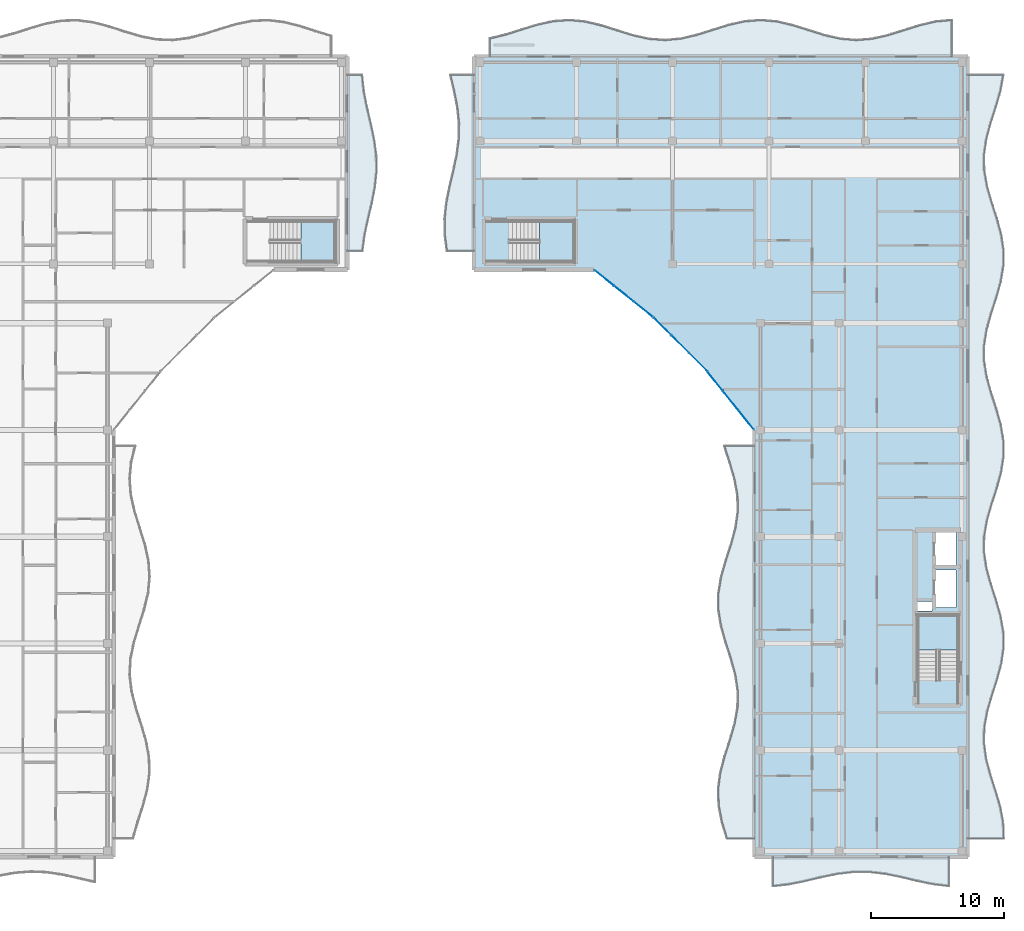
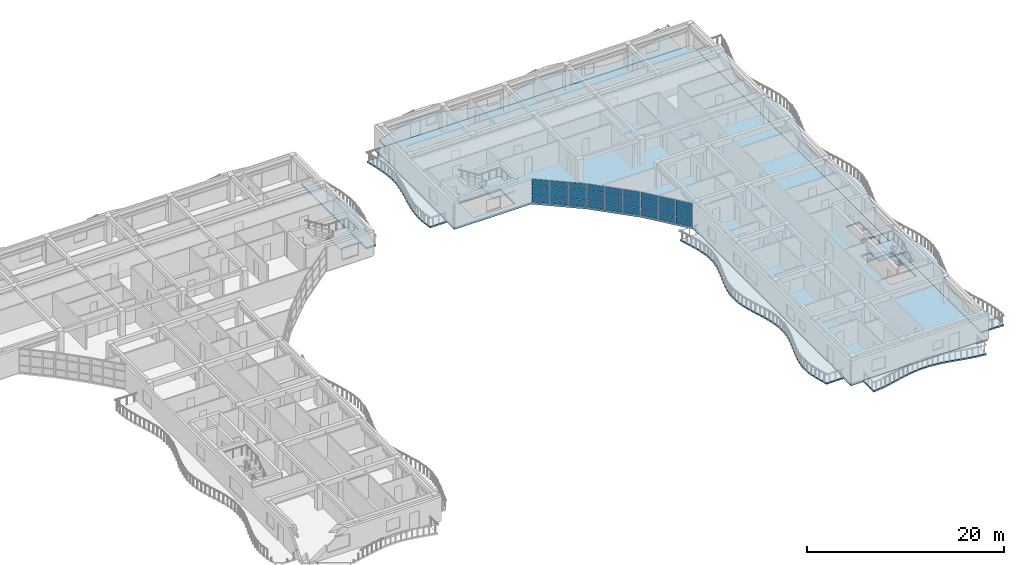
# One storey, part 28 of 72: 27 plates, 10 slabs, 6 elements without a shape of their own.
"""IFC4 building model written with IfcOpenShell, lengths in metres."""

import ifcopenshell
import ifcopenshell.guid

model = None  # the IFC model being written
_history = None  # IfcOwnerHistory: only IFC2X3 demands one
_inside = {}  # id of a spatial element -> (the spatial element, [elements in it])
_under = {}  # id of a project, library or spatial element -> (it, [spatial elements below it])
_declared = {}  # id of a project -> (the project, [libraries it declares])
_typed = {}  # id of a type object -> (the type object, [elements of that type])
_made_of = {}  # id of a material, layer set ... -> (it, [elements and type objects made of it])


def new_model(schema):
    """Start an empty IFC model of exactly this schema.

    Asked for "IFC4X3", IfcOpenShell would pick the latest addendum, in which some entities
    have other attributes; the version numbers below select the first issue.
    IFC2X3 requires an IfcOwnerHistory on every rooted entity: one is made here for all.
    """
    global model, _history
    if schema == "IFC4X3":
        model = ifcopenshell.file(schema_version=(4, 3, 0, 0))
    else:
        model = ifcopenshell.file(schema=schema)
    _inside.clear()
    _under.clear()
    _declared.clear()
    _typed.clear()
    _made_of.clear()
    _history = None
    if model.schema == "IFC2X3":
        org = make("IfcOrganization", Name="unknown")
        user = make(
            "IfcPersonAndOrganization",
            ThePerson=make("IfcPerson", FamilyName="unknown"),
            TheOrganization=org,
        )
        app = make(
            "IfcApplication",
            ApplicationDeveloper=org,
            Version="unknown",
            ApplicationFullName="unknown",
            ApplicationIdentifier="unknown",
        )
        _history = make(
            "IfcOwnerHistory",
            OwningUser=user,
            OwningApplication=app,
            ChangeAction="ADDED",
            CreationDate=0,
        )
    return model


def make(cls, **values):
    """One entity of the class cls with the attributes given. An attribute that is None is left unset."""
    return model.create_entity(
        cls, **{name: value for name, value in values.items() if value is not None}
    )


def rooted(cls, **values):
    """An entity with a GlobalId (a new one), such as an element, a storey or a relation."""
    return make(cls, GlobalId=ifcopenshell.guid.new(), OwnerHistory=_history, **values)


def si_unit(unit_type, name, prefix=None):
    """IfcSIUnit, for example si_unit("LENGTHUNIT", "METRE", prefix="MILLI")."""
    return make("IfcSIUnit", UnitType=unit_type, Prefix=prefix, Name=name)


def assignment(units):
    """IfcUnitAssignment: the units of a project."""
    return None if units is None else make("IfcUnitAssignment", Units=units)


def point(xyz):
    """IfcCartesianPoint."""
    return None if xyz is None else make("IfcCartesianPoint", Coordinates=xyz)


def direction(xyz):
    """IfcDirection."""
    return None if xyz is None else make("IfcDirection", DirectionRatios=xyz)


def frame(location, z_axis=None, x_axis=None):
    """IfcAxis2Placement3D, a coordinate frame: its origin and axes. An axis left out is left unset."""
    return make(
        "IfcAxis2Placement3D",
        Location=point(location),
        Axis=direction(z_axis),
        RefDirection=direction(x_axis),
    )


def frame_2d(location, x_axis=None):
    """IfcAxis2Placement2D, a coordinate frame in the plane: its origin and x axis."""
    return make(
        "IfcAxis2Placement2D", Location=point(location), RefDirection=direction(x_axis)
    )


def origin():
    """The frame at (0, 0, 0) with its axes left unset."""
    return frame((0.0, 0.0, 0.0))


def origin_2d():
    """The frame at (0, 0) in the plane with its x axis left unset."""
    return frame_2d((0.0, 0.0))


def place(relative_to, where):
    """IfcLocalPlacement: puts the frame where relative to a parent placement (None: the world)."""
    return make(
        "IfcLocalPlacement", PlacementRelTo=relative_to, RelativePlacement=where
    )


def context(
    kind, dimensions, precision=None, world=None, true_north=None, identifier=None
):
    """IfcGeometricRepresentationContext, for example the 3D "Model" context."""
    return make(
        "IfcGeometricRepresentationContext",
        ContextIdentifier=identifier,
        ContextType=kind,
        CoordinateSpaceDimension=dimensions,
        Precision=precision,
        WorldCoordinateSystem=world,
        TrueNorth=true_north,
    )


def subcontext(parent, identifier, kind, view, scale=None):
    """IfcGeometricRepresentationSubContext, for example "Body" below "Model"."""
    return make(
        "IfcGeometricRepresentationSubContext",
        ContextIdentifier=identifier,
        ContextType=kind,
        ParentContext=parent,
        TargetScale=scale,
        TargetView=view,
    )


def project(units=None, contexts=None):
    """IfcProject with its units and contexts."""
    return rooted(
        "IfcProject",
        Name="project",
        RepresentationContexts=contexts,
        UnitsInContext=assignment(units),
    )


def spatial(cls, under=None, at=None, **own):
    """A site, building, storey or space (cls), placed at a placement, below another one or the project."""
    s = rooted(cls, ObjectPlacement=at, **own)
    if under is not None:
        _under.setdefault(under.id(), (under, []))[1].append(s)
    return s


def polyline(points):
    """IfcPolyline through the points."""
    return make("IfcPolyline", Points=[point(p) for p in points])


def profile(cls, at=None, kind="AREA", **sizes):
    """A parametric profile (cls). Its sizes go by their IFC names, for example OverallWidth=200.0."""
    return make(cls, ProfileType=kind, Position=at, **sizes)


def rectangle(**sizes):
    """IfcRectangleProfileDef."""
    return profile("IfcRectangleProfileDef", **sizes)


def outline(outer, holes=None, kind="AREA"):
    """IfcArbitraryClosedProfileDef: a profile drawn as a closed curve; with holes, ...WithVoids."""
    if holes is None:
        return make("IfcArbitraryClosedProfileDef", ProfileType=kind, OuterCurve=outer)
    return make(
        "IfcArbitraryProfileDefWithVoids",
        ProfileType=kind,
        OuterCurve=outer,
        InnerCurves=holes,
    )


def extrude(swept, where, along, depth):
    """IfcExtrudedAreaSolid: the profile swept, set in the frame where, extruded along a direction by depth."""
    return make(
        "IfcExtrudedAreaSolid",
        SweptArea=swept,
        Position=where,
        ExtrudedDirection=direction(along),
        Depth=depth,
    )


def shape(context_of_items, identifier, shape_type, items):
    """IfcShapeRepresentation: the items that make up one representation, for example the "Body"."""
    return make(
        "IfcShapeRepresentation",
        ContextOfItems=context_of_items,
        RepresentationIdentifier=identifier,
        RepresentationType=shape_type,
        Items=items,
    )


def material(Name=None, Category=None):
    """IfcMaterial."""
    return make("IfcMaterial", Name=Name, Category=Category)


def layer(
    of_material, thickness, ventilated=None, Name=None, Category=None, Priority=None
):
    """IfcMaterialLayer: one layer of a wall or slab, of a material (None: an air gap)."""
    return make(
        "IfcMaterialLayer",
        Material=of_material,
        LayerThickness=thickness,
        IsVentilated=ventilated,
        Name=Name,
        Category=Category,
        Priority=Priority,
    )


def layer_set(layers, Name=None):
    """IfcMaterialLayerSet."""
    return make("IfcMaterialLayerSet", MaterialLayers=layers, LayerSetName=Name)


def made_of(thing, what):
    """Note that an element or type object is made of a material, layer set ...; save() writes the relation."""
    if what is not None:
        _made_of.setdefault(what.id(), (what, []))[1].append(thing)
    return thing


def type_object(cls, material=None, **own):
    """A type object (cls), such as IfcWallType, which elements share."""
    return made_of(rooted(cls, **own), material)


def element(
    cls,
    number,
    at=None,
    inside=None,
    cuts=None,
    type_object=None,
    material=None,
    context=None,
    identifier="Body",
    shape_type=None,
    held_by="IfcProductDefinitionShape",
    body=None,
    shapes=None,
    **own,
):
    """One element of the class cls, such as IfcWall. Its Tag is "e" and its number.

    at: its placement. inside: the storey or other place that contains it. cuts: it is an
    opening in that element (IfcRelVoidsElement). A single representation is given by context,
    identifier, shape_type and body (its items); several are given by shapes. held_by: the class
    of the entity that holds the representations. save() writes the other relations.
    """
    e = rooted(cls, Tag="e%d" % number, ObjectPlacement=at, **own)
    if body is not None:
        shapes = [shape(context, identifier, shape_type, body)]
    if shapes is not None:
        e.Representation = make(held_by, Representations=shapes)
    if inside is not None:
        _inside.setdefault(inside.id(), (inside, []))[1].append(e)
    if cuts is not None:
        rooted(
            "IfcRelVoidsElement", RelatingBuildingElement=cuts, RelatedOpeningElement=e
        )
    if type_object is not None:
        _typed.setdefault(type_object.id(), (type_object, []))[1].append(e)
    return made_of(e, material)


def aggregate(whole, parts):
    """IfcRelAggregates: a whole, such as a stair, and the parts it consists of."""
    return rooted("IfcRelAggregates", RelatingObject=whole, RelatedObjects=parts)


def save(model, path):
    """Write the relations noted so far, then the file.

    IfcRelAggregates (storeys below a building ...), IfcRelContainedInSpatialStructure (elements
    in a storey), IfcRelDefinesByType, IfcRelAssociatesMaterial and IfcRelDeclares: one each for
    every whole, place, type object, material and project.
    """
    for whole, parts in _under.values():
        aggregate(whole, parts)
    for where, things in _inside.values():
        rooted(
            "IfcRelContainedInSpatialStructure",
            RelatedElements=things,
            RelatingStructure=where,
        )
    for kind, things in _typed.values():
        rooted("IfcRelDefinesByType", RelatedObjects=things, RelatingType=kind)
    for what, things in _made_of.values():
        rooted("IfcRelAssociatesMaterial", RelatedObjects=things, RelatingMaterial=what)
    for by, libraries in _declared.values():
        rooted("IfcRelDeclares", RelatingContext=by, RelatedDefinitions=libraries)
    model.write(path)


model = new_model("IFC4")

# Units and contexts
model_context = context("Model", 3, precision=1e-05, world=origin(), true_north=direction((0.0, 1.0)))
body_context = subcontext(model_context, "Body", "Model", "MODEL_VIEW")
ifc_project = project(units=[si_unit("LENGTHUNIT", "METRE"), si_unit("AREAUNIT", "SQUARE_METRE"), si_unit("VOLUMEUNIT", "CUBIC_METRE"), si_unit("PLANEANGLEUNIT", "RADIAN"), si_unit("MASSUNIT", "GRAM", prefix="KILO")], contexts=[model_context])

# Site, building, storey
site_placement = place(None, origin())
site = spatial("IfcSite", under=ifc_project, at=site_placement, CompositionType="ELEMENT")
building_placement = place(site_placement, origin())
building = spatial("IfcBuilding", under=site, at=building_placement, Name="Keldmere Railside Commons", CompositionType="ELEMENT")
storey_placement = place(building_placement, frame((0.0, 0.0, 16.9599609375)))
storey = spatial("IfcBuildingStorey", under=building, at=storey_placement, Name="L05", CompositionType="ELEMENT", Elevation=16.9599609375)

# Curtain wall, plates
ifc_material_1 = material(Name="Thermally Broken Aluminium", Category="aluminium")
ifc_layer_1 = layer(ifc_material_1, 0.159912109375, Name="Court Chord Wintergarden CW 5400x2850")
ifc_layer_set_1 = layer_set([ifc_layer_1], Name="Thermally Broken Aluminium")
curtain_wall_type_1 = type_object("IfcCurtainWallType", Name="Court Chord Wintergarden CW 5400x2850", PredefinedType="NOTDEFINED", material=ifc_layer_set_1)
curtain_wall_1_placement = place(storey_placement, origin())
curtain_wall_1 = element("IfcCurtainWall", 1, at=curtain_wall_1_placement, inside=storey, type_object=curtain_wall_type_1, Name="CW-13 CW-L05-172", PredefinedType="NOTDEFINED")
ifc_material_2 = material(Name="Low-E Insulated Double Glazing", Category="glass")
ifc_layer_2 = layer(ifc_material_2, 0.033935546875, Name="Acoustic Laminated Vision Panel 34")
ifc_layer_set_2 = layer_set([ifc_layer_2], Name="Low-E Insulated Double Glazing")
plate_type_1 = type_object("IfcPlateType", Name="Acoustic Laminated Vision Panel 34", PredefinedType="CURTAIN_PANEL", material=ifc_layer_set_2)
plate_1_placement = place(storey_placement, frame((159.678955078125, 97.048583984375, 0.06494140625), z_axis=(0.0, 0.0, 1.0), x_axis=(-0.780009172323, 0.625768080915, 0.0)))
plate_1 = element("IfcPlate", 2, at=plate_1_placement, type_object=plate_type_1, Name="CW-13 panel 1.1", PredefinedType="CURTAIN_PANEL", context=body_context, shape_type="SweptSolid", body=[
    extrude(rectangle(XDim=1.795654296875, YDim=0.033935546875, at=origin_2d()), origin(), (0.0, 0.0, 1.0), 0.802490234375),
])
plate_2_placement = place(storey_placement, frame((159.678955078125, 97.048583984375, 0.9326171875), z_axis=(0.0, 0.0, 1.0), x_axis=(-0.780009172323, 0.625768080915, 0.0)))
plate_2 = element("IfcPlate", 3, at=plate_2_placement, type_object=plate_type_1, Name="CW-13 panel 1.2", PredefinedType="CURTAIN_PANEL", context=body_context, shape_type="SweptSolid", body=[
    extrude(rectangle(XDim=1.795654296875, YDim=0.033935546875, at=origin_2d()), origin(), (0.0, 0.0, 1.0), 1.18505859375),
])
plate_3_placement = place(storey_placement, frame((159.678955078125, 97.048583984375, 2.1826171875), z_axis=(0.0, 0.0, 1.0), x_axis=(-0.780009172323, 0.625768080915, 0.0)))
plate_3 = element("IfcPlate", 4, at=plate_3_placement, type_object=plate_type_1, Name="CW-13 panel 1.3", PredefinedType="CURTAIN_PANEL", context=body_context, shape_type="SweptSolid", body=[
    extrude(rectangle(XDim=1.795654296875, YDim=0.033935546875, at=origin_2d()), origin(), (0.0, 0.0, 1.0), 0.732421875),
])
plate_4_placement = place(storey_placement, frame((158.215087890625, 98.222900390625, 0.06494140625), z_axis=(0.0, 0.0, 1.0), x_axis=(-0.780009172323, 0.625768080915, 0.0)))
plate_4 = element("IfcPlate", 5, at=plate_4_placement, type_object=plate_type_1, Name="CW-13 panel 2.1", PredefinedType="CURTAIN_PANEL", context=body_context, shape_type="SweptSolid", body=[
    extrude(rectangle(XDim=1.828125, YDim=0.033935546875, at=origin_2d()), origin(), (0.0, 0.0, 1.0), 0.802490234375),
])
plate_5_placement = place(storey_placement, frame((158.215087890625, 98.222900390625, 0.9326171875), z_axis=(0.0, 0.0, 1.0), x_axis=(-0.780009172323, 0.625768080915, 0.0)))
plate_5 = element("IfcPlate", 6, at=plate_5_placement, type_object=plate_type_1, Name="CW-13 panel 2.2", PredefinedType="CURTAIN_PANEL", context=body_context, shape_type="SweptSolid", body=[
    extrude(rectangle(XDim=1.828125, YDim=0.033935546875, at=origin_2d()), origin(), (0.0, 0.0, 1.0), 1.18505859375),
])
plate_6_placement = place(storey_placement, frame((158.215087890625, 98.222900390625, 2.1826171875), z_axis=(0.0, 0.0, 1.0), x_axis=(-0.780009172323, 0.625768080915, 0.0)))
plate_6 = element("IfcPlate", 7, at=plate_6_placement, type_object=plate_type_1, Name="CW-13 panel 2.3", PredefinedType="CURTAIN_PANEL", context=body_context, shape_type="SweptSolid", body=[
    extrude(rectangle(XDim=1.828125, YDim=0.033935546875, at=origin_2d()), origin(), (0.0, 0.0, 1.0), 0.732421875),
])
plate_7_placement = place(storey_placement, frame((156.7509765625, 99.3974609375, 0.06494140625), z_axis=(0.0, 0.0, 1.0), x_axis=(-0.780009172323, 0.625768080915, 0.0)))
plate_7 = element("IfcPlate", 8, at=plate_7_placement, type_object=plate_type_1, Name="CW-13 panel 3.1", PredefinedType="CURTAIN_PANEL", context=body_context, shape_type="SweptSolid", body=[
    extrude(rectangle(XDim=1.795654296875, YDim=0.033935546875, at=origin_2d()), origin(), (0.0, 0.0, 1.0), 0.802490234375),
])
plate_8_placement = place(storey_placement, frame((156.7509765625, 99.3974609375, 0.9326171875), z_axis=(0.0, 0.0, 1.0), x_axis=(-0.780009172323, 0.625768080915, 0.0)))
plate_8 = element("IfcPlate", 9, at=plate_8_placement, type_object=plate_type_1, Name="CW-13 panel 3.2", PredefinedType="CURTAIN_PANEL", context=body_context, shape_type="SweptSolid", body=[
    extrude(rectangle(XDim=1.795654296875, YDim=0.033935546875, at=origin_2d()), origin(), (0.0, 0.0, 1.0), 1.18505859375),
])
plate_9_placement = place(storey_placement, frame((156.7509765625, 99.3974609375, 2.1826171875), z_axis=(0.0, 0.0, 1.0), x_axis=(-0.780009172323, 0.625768080915, 0.0)))
plate_9 = element("IfcPlate", 10, at=plate_9_placement, type_object=plate_type_1, Name="CW-13 panel 3.3", PredefinedType="CURTAIN_PANEL", context=body_context, shape_type="SweptSolid", body=[
    extrude(rectangle(XDim=1.795654296875, YDim=0.033935546875, at=origin_2d()), origin(), (0.0, 0.0, 1.0), 0.732421875),
])
aggregate(curtain_wall_1, [plate_1, plate_2, plate_3, plate_4, plate_5, plate_6, plate_7, plate_8, plate_9])

ifc_layer_3 = layer(ifc_material_1, 0.159912109375, Name="Court Chord Wintergarden CW 4800x2850")
ifc_layer_set_3 = layer_set([ifc_layer_3], Name="Thermally Broken Aluminium")
curtain_wall_type_2 = type_object("IfcCurtainWallType", Name="Court Chord Wintergarden CW 4800x2850", PredefinedType="NOTDEFINED", material=ifc_layer_set_3)
curtain_wall_2_placement = place(storey_placement, origin())
curtain_wall_2 = element("IfcCurtainWall", 11, at=curtain_wall_2_placement, inside=storey, type_object=curtain_wall_type_2, Name="CW-12 CW-L05-173", PredefinedType="NOTDEFINED")
ifc_layer_4 = layer(ifc_material_2, 0.031982421875, Name="Clerestory Solar-Control Vision Panel 32")
ifc_layer_set_4 = layer_set([ifc_layer_4], Name="Low-E Insulated Double Glazing")
plate_type_2 = type_object("IfcPlateType", Name="Clerestory Solar-Control Vision Panel 32", PredefinedType="CURTAIN_PANEL", material=ifc_layer_set_4)
plate_10_placement = place(storey_placement, frame((163.76513671875, 93.11083984375, 0.06494140625), z_axis=(0.0, 0.0, 1.0), x_axis=(-0.707106781187, 0.707106781187, 0.0)))
plate_10 = element("IfcPlate", 12, at=plate_10_placement, type_object=plate_type_2, Name="CW-12 panel 1.1", PredefinedType="CURTAIN_PANEL", context=body_context, shape_type="SweptSolid", body=[
    extrude(rectangle(XDim=1.795654296875, YDim=0.031982421875, at=origin_2d()), origin(), (0.0, 0.0, 1.0), 0.802490234375),
])
plate_11_placement = place(storey_placement, frame((163.76513671875, 93.11083984375, 0.9326171875), z_axis=(0.0, 0.0, 1.0), x_axis=(-0.707106781187, 0.707106781187, 0.0)))
plate_11 = element("IfcPlate", 13, at=plate_11_placement, type_object=plate_type_2, Name="CW-12 panel 1.2", PredefinedType="CURTAIN_PANEL", context=body_context, shape_type="SweptSolid", body=[
    extrude(rectangle(XDim=1.795654296875, YDim=0.031982421875, at=origin_2d()), origin(), (0.0, 0.0, 1.0), 1.18505859375),
])
plate_12_placement = place(storey_placement, frame((163.76513671875, 93.11083984375, 2.1826171875), z_axis=(0.0, 0.0, 1.0), x_axis=(-0.707106781187, 0.707106781187, 0.0)))
plate_12 = element("IfcPlate", 14, at=plate_12_placement, type_object=plate_type_2, Name="CW-12 panel 1.3", PredefinedType="CURTAIN_PANEL", context=body_context, shape_type="SweptSolid", body=[
    extrude(rectangle(XDim=1.795654296875, YDim=0.031982421875, at=origin_2d()), origin(), (0.0, 0.0, 1.0), 0.732421875),
])
plate_13_placement = place(storey_placement, frame((162.43798828125, 94.43798828125, 0.06494140625), z_axis=(0.0, 0.0, 1.0), x_axis=(-0.707106781187, 0.707106781187, 0.0)))
plate_13 = element("IfcPlate", 15, at=plate_13_placement, type_object=plate_type_2, Name="CW-12 panel 2.1", PredefinedType="CURTAIN_PANEL", context=body_context, shape_type="SweptSolid", body=[
    extrude(rectangle(XDim=1.828125, YDim=0.031982421875, at=origin_2d()), origin(), (0.0, 0.0, 1.0), 0.802490234375),
])
plate_14_placement = place(storey_placement, frame((162.43798828125, 94.43798828125, 0.9326171875), z_axis=(0.0, 0.0, 1.0), x_axis=(-0.707106781187, 0.707106781187, 0.0)))
plate_14 = element("IfcPlate", 16, at=plate_14_placement, type_object=plate_type_2, Name="CW-12 panel 2.2", PredefinedType="CURTAIN_PANEL", context=body_context, shape_type="SweptSolid", body=[
    extrude(rectangle(XDim=1.828125, YDim=0.031982421875, at=origin_2d()), origin(), (0.0, 0.0, 1.0), 1.18505859375),
])
plate_15_placement = place(storey_placement, frame((162.43798828125, 94.43798828125, 2.1826171875), z_axis=(0.0, 0.0, 1.0), x_axis=(-0.707106781187, 0.707106781187, 0.0)))
plate_15 = element("IfcPlate", 17, at=plate_15_placement, type_object=plate_type_2, Name="CW-12 panel 2.3", PredefinedType="CURTAIN_PANEL", context=body_context, shape_type="SweptSolid", body=[
    extrude(rectangle(XDim=1.828125, YDim=0.031982421875, at=origin_2d()), origin(), (0.0, 0.0, 1.0), 0.732421875),
])
plate_16_placement = place(storey_placement, frame((161.11083984375, 95.76513671875, 0.06494140625), z_axis=(0.0, 0.0, 1.0), x_axis=(-0.707106781187, 0.707106781187, 0.0)))
plate_16 = element("IfcPlate", 18, at=plate_16_placement, type_object=plate_type_2, Name="CW-12 panel 3.1", PredefinedType="CURTAIN_PANEL", context=body_context, shape_type="SweptSolid", body=[
    extrude(rectangle(XDim=1.795654296875, YDim=0.031982421875, at=origin_2d()), origin(), (0.0, 0.0, 1.0), 0.802490234375),
])
plate_17_placement = place(storey_placement, frame((161.11083984375, 95.76513671875, 0.9326171875), z_axis=(0.0, 0.0, 1.0), x_axis=(-0.707106781187, 0.707106781187, 0.0)))
plate_17 = element("IfcPlate", 19, at=plate_17_placement, type_object=plate_type_2, Name="CW-12 panel 3.2", PredefinedType="CURTAIN_PANEL", context=body_context, shape_type="SweptSolid", body=[
    extrude(rectangle(XDim=1.795654296875, YDim=0.031982421875, at=origin_2d()), origin(), (0.0, 0.0, 1.0), 1.18505859375),
])
plate_18_placement = place(storey_placement, frame((161.11083984375, 95.76513671875, 2.1826171875), z_axis=(0.0, 0.0, 1.0), x_axis=(-0.707106781187, 0.707106781187, 0.0)))
plate_18 = element("IfcPlate", 20, at=plate_18_placement, type_object=plate_type_2, Name="CW-12 panel 3.3", PredefinedType="CURTAIN_PANEL", context=body_context, shape_type="SweptSolid", body=[
    extrude(rectangle(XDim=1.795654296875, YDim=0.031982421875, at=origin_2d()), origin(), (0.0, 0.0, 1.0), 0.732421875),
])
aggregate(curtain_wall_2, [plate_10, plate_11, plate_12, plate_13, plate_14, plate_15, plate_16, plate_17, plate_18])

# Stair, slab
ifc_material_3 = material(Name="Concrete H-30 (C30/37)", Category="concrete")
stair_type_1 = type_object("IfcStairType", Name="Basement Garage Dogleg Escape Stair 1450", PredefinedType="HALF_TURN_STAIR", material=ifc_material_3)
stair_1_placement = place(storey_placement, origin())
stair_1 = element("IfcStair", 21, at=stair_1_placement, inside=storey, type_object=stair_type_1, Name="L05 Block B Secondary Escape Stair 2", PredefinedType="HALF_TURN_STAIR")
ifc_layer_5 = layer(ifc_material_3, 0.199951171875, Name="Enclosed Stair Landing Slab 200")
ifc_layer_set_5 = layer_set([ifc_layer_5], Name="Concrete H-30 (C30/37)")
slab_type_1 = type_object("IfcSlabType", Name="Enclosed Stair Landing Slab 200", PredefinedType="LANDING", material=ifc_layer_set_5)
slab_1_placement = place(storey_placement, frame((0.0, 0.0, 1.400146484375)))
slab_1 = element("IfcSlab", 22, at=slab_1_placement, type_object=slab_type_1, Name="ST-B2 landing 1", PredefinedType="LANDING", context=body_context, shape_type="SweptSolid", body=[
    extrude(outline(polyline([(134.02001953125, 100.60009765625), (136.60009765625, 100.60009765625), (136.60009765625, 103.64990234375), (134.02001953125, 103.64990234375), (134.02001953125, 100.60009765625)])), origin(), (0.0, 0.0, 1.0), 0.199951171875),
])
aggregate(stair_1, [slab_1])

stair_type_2 = type_object("IfcStairType", Name="Residential Core Dogleg Stair 1450", PredefinedType="HALF_TURN_STAIR", material=ifc_material_3)
stair_2_placement = place(storey_placement, origin())
stair_2 = element("IfcStair", 23, at=stair_2_placement, inside=storey, type_object=stair_type_2, Name="L05 Block A Primary Escape Stair 1", PredefinedType="HALF_TURN_STAIR")
slab_2_placement = place(storey_placement, frame((0.0, 0.0, 1.400146484375)))
slab_2 = element("IfcSlab", 24, at=slab_2_placement, type_object=slab_type_1, Name="ST-A1 landing 1", PredefinedType="LANDING", context=body_context, shape_type="SweptSolid", body=[
    extrude(outline(polyline([(183.300048828125, 71.52001953125), (183.300048828125, 74.10009765625), (180.25, 74.10009765625), (180.25, 71.52001953125), (183.300048828125, 71.52001953125)])), origin(), (0.0, 0.0, 1.0), 0.199951171875),
])
aggregate(stair_2, [slab_2])

stair_3_placement = place(storey_placement, origin())
stair_3 = element("IfcStair", 25, at=stair_3_placement, inside=storey, type_object=stair_type_2, Name="L05 Block A Secondary Escape Stair 2", PredefinedType="HALF_TURN_STAIR")
slab_3_placement = place(storey_placement, frame((0.0, 0.0, 1.400146484375)))
slab_3 = element("IfcSlab", 26, at=slab_3_placement, type_object=slab_type_1, Name="ST-A2 landing 1", PredefinedType="LANDING", context=body_context, shape_type="SweptSolid", body=[
    extrude(outline(polyline([(151.919921875, 100.60009765625), (154.5, 100.60009765625), (154.5, 103.64990234375), (151.919921875, 103.64990234375), (151.919921875, 100.60009765625)])), origin(), (0.0, 0.0, 1.0), 0.199951171875),
])
aggregate(stair_3, [slab_3])

# Curtain wall, plates
curtain_wall_3_placement = place(storey_placement, origin())
curtain_wall_3 = element("IfcCurtainWall", 27, at=curtain_wall_3_placement, inside=storey, type_object=curtain_wall_type_1, Name="CW-13 CW-L05-174", PredefinedType="NOTDEFINED")
ifc_layer_6 = layer(ifc_material_2, 0.028076171875, Name="Low-E Vision Glazing Panel 28")
ifc_layer_set_6 = layer_set([ifc_layer_6], Name="Low-E Insulated Double Glazing")
plate_type_3 = type_object("IfcPlateType", Name="Low-E Vision Glazing Panel 28", PredefinedType="CURTAIN_PANEL", material=ifc_layer_set_6)
plate_19_placement = place(storey_placement, frame((167.3974609375, 88.7509765625, 0.06494140625), z_axis=(0.0, 0.0, 1.0), x_axis=(-0.625768080915, 0.780009172323, 0.0)))
plate_19 = element("IfcPlate", 28, at=plate_19_placement, type_object=plate_type_3, Name="CW-13 panel 1.1", PredefinedType="CURTAIN_PANEL", context=body_context, shape_type="SweptSolid", body=[
    extrude(rectangle(XDim=1.795654296875, YDim=0.028076171875, at=origin_2d()), origin(), (0.0, 0.0, 1.0), 0.802490234375),
])
plate_20_placement = place(storey_placement, frame((167.3974609375, 88.7509765625, 0.9326171875), z_axis=(0.0, 0.0, 1.0), x_axis=(-0.625768080915, 0.780009172323, 0.0)))
plate_20 = element("IfcPlate", 29, at=plate_20_placement, type_object=plate_type_3, Name="CW-13 panel 1.2", PredefinedType="CURTAIN_PANEL", context=body_context, shape_type="SweptSolid", body=[
    extrude(rectangle(XDim=1.795654296875, YDim=0.028076171875, at=origin_2d()), origin(), (0.0, 0.0, 1.0), 1.18505859375),
])
plate_21_placement = place(storey_placement, frame((167.3974609375, 88.7509765625, 2.1826171875), z_axis=(0.0, 0.0, 1.0), x_axis=(-0.625768080915, 0.780009172323, 0.0)))
plate_21 = element("IfcPlate", 30, at=plate_21_placement, type_object=plate_type_3, Name="CW-13 panel 1.3", PredefinedType="CURTAIN_PANEL", context=body_context, shape_type="SweptSolid", body=[
    extrude(rectangle(XDim=1.795654296875, YDim=0.028076171875, at=origin_2d()), origin(), (0.0, 0.0, 1.0), 0.732421875),
])
plate_22_placement = place(storey_placement, frame((166.222900390625, 90.215087890625, 0.06494140625), z_axis=(0.0, 0.0, 1.0), x_axis=(-0.625768080915, 0.780009172323, 0.0)))
plate_22 = element("IfcPlate", 31, at=plate_22_placement, type_object=plate_type_3, Name="CW-13 panel 2.1", PredefinedType="CURTAIN_PANEL", context=body_context, shape_type="SweptSolid", body=[
    extrude(rectangle(XDim=1.828125, YDim=0.028076171875, at=origin_2d()), origin(), (0.0, 0.0, 1.0), 0.802490234375),
])
plate_23_placement = place(storey_placement, frame((166.222900390625, 90.215087890625, 0.9326171875), z_axis=(0.0, 0.0, 1.0), x_axis=(-0.625768080915, 0.780009172323, 0.0)))
plate_23 = element("IfcPlate", 32, at=plate_23_placement, type_object=plate_type_3, Name="CW-13 panel 2.2", PredefinedType="CURTAIN_PANEL", context=body_context, shape_type="SweptSolid", body=[
    extrude(rectangle(XDim=1.828125, YDim=0.028076171875, at=origin_2d()), origin(), (0.0, 0.0, 1.0), 1.18505859375),
])
plate_24_placement = place(storey_placement, frame((166.222900390625, 90.215087890625, 2.1826171875), z_axis=(0.0, 0.0, 1.0), x_axis=(-0.625768080915, 0.780009172323, 0.0)))
plate_24 = element("IfcPlate", 33, at=plate_24_placement, type_object=plate_type_3, Name="CW-13 panel 2.3", PredefinedType="CURTAIN_PANEL", context=body_context, shape_type="SweptSolid", body=[
    extrude(rectangle(XDim=1.828125, YDim=0.028076171875, at=origin_2d()), origin(), (0.0, 0.0, 1.0), 0.732421875),
])
plate_25_placement = place(storey_placement, frame((165.048583984375, 91.678955078125, 0.06494140625), z_axis=(0.0, 0.0, 1.0), x_axis=(-0.625768080915, 0.780009172323, 0.0)))
plate_25 = element("IfcPlate", 34, at=plate_25_placement, type_object=plate_type_3, Name="CW-13 panel 3.1", PredefinedType="CURTAIN_PANEL", context=body_context, shape_type="SweptSolid", body=[
    extrude(rectangle(XDim=1.795654296875, YDim=0.028076171875, at=origin_2d()), origin(), (0.0, 0.0, 1.0), 0.802490234375),
])
plate_26_placement = place(storey_placement, frame((165.048583984375, 91.678955078125, 0.9326171875), z_axis=(0.0, 0.0, 1.0), x_axis=(-0.625768080915, 0.780009172323, 0.0)))
plate_26 = element("IfcPlate", 35, at=plate_26_placement, type_object=plate_type_3, Name="CW-13 panel 3.2", PredefinedType="CURTAIN_PANEL", context=body_context, shape_type="SweptSolid", body=[
    extrude(rectangle(XDim=1.795654296875, YDim=0.028076171875, at=origin_2d()), origin(), (0.0, 0.0, 1.0), 1.18505859375),
])
plate_27_placement = place(storey_placement, frame((165.048583984375, 91.678955078125, 2.1826171875), z_axis=(0.0, 0.0, 1.0), x_axis=(-0.625768080915, 0.780009172323, 0.0)))
plate_27 = element("IfcPlate", 36, at=plate_27_placement, type_object=plate_type_3, Name="CW-13 panel 3.3", PredefinedType="CURTAIN_PANEL", context=body_context, shape_type="SweptSolid", body=[
    extrude(rectangle(XDim=1.795654296875, YDim=0.028076171875, at=origin_2d()), origin(), (0.0, 0.0, 1.0), 0.732421875),
])
aggregate(curtain_wall_3, [plate_19, plate_20, plate_21, plate_22, plate_23, plate_24, plate_25, plate_26, plate_27])

# Slabs
ifc_layer_7 = layer(ifc_material_3, 0.219970703125, Name="Residential Flat Slab 220")
ifc_layer_set_7 = layer_set([ifc_layer_7], Name="Concrete H-30 (C30/37)")
slab_type_2 = type_object("IfcSlabType", Name="Residential Flat Slab 220", PredefinedType="FLOOR", material=ifc_layer_set_7)
slab_4_placement = place(storey_placement, frame((0.0, 0.0, -0.219970703125)))
element("IfcSlab", 37, at=slab_4_placement, inside=storey, type_object=slab_type_2, Name="FS-2 BLKA-L05-058", PredefinedType="FLOOR", context=body_context, shape_type="SweptSolid", body=[
    extrude(outline(polyline([(168.0, 56.0), (184.0, 56.0), (184.0, 116.0), (147.0, 116.0), (147.0, 100.0), (156.0, 100.0), (160.429931640625, 96.446044921875), (164.446044921875, 92.429931640625), (168.0, 88.0), (168.0, 56.0)]), holes=[polyline([(183.27490234375, 69.22509765625), (180.27490234375, 69.22509765625), (180.27490234375, 74.074951171875), (183.27490234375, 74.074951171875), (183.27490234375, 69.22509765625)]), polyline([(180.219970703125, 74.419921875), (180.219970703125, 75.159912109375), (181.320068359375, 75.159912109375), (181.320068359375, 74.419921875), (180.219970703125, 74.419921875)]), polyline([(183.10009765625, 74.699951171875), (181.5, 74.699951171875), (181.5, 77.5), (183.10009765625, 77.5), (183.10009765625, 74.699951171875)]), polyline([(183.10009765625, 77.75), (181.5, 77.75), (181.5, 80.39990234375), (183.10009765625, 80.39990234375), (183.10009765625, 77.75)]), polyline([(149.625, 103.625), (154.47509765625, 103.625), (154.47509765625, 100.625), (149.625, 100.625), (149.625, 103.625)])]), origin(), (0.0, 0.0, 1.0), 0.219970703125),
])
ifc_material_4 = material(Name="White Precast Concrete H-35 (C35/45)", Category="concrete")
ifc_layer_8 = layer(ifc_material_4, 0.179931640625, Name="Sinusoidal Wave Balcony Slab 180")
ifc_layer_set_8 = layer_set([ifc_layer_8], Name="White Precast Concrete H-35 (C35/45)")
slab_type_3 = type_object("IfcSlabType", Name="Sinusoidal Wave Balcony Slab 180", PredefinedType="FLOOR", material=ifc_layer_set_8)
slab_5_placement = place(storey_placement, frame((0.0, 0.0, -0.179931640625)))
element("IfcSlab", 38, at=slab_5_placement, inside=storey, type_object=slab_type_3, Name="WB-1 B L05 WE Wave Balcony", PredefinedType="FLOOR", context=body_context, shape_type="SweptSolid", body=[
    extrude(outline(polyline([(138.631103515625, 101.39990234375), (138.791748046875, 102.60009765625), (139.04833984375, 103.800048828125), (139.332275390625, 105.0), (139.567138671875, 106.199951171875), (139.6904296875, 107.39990234375), (139.6689453125, 108.60009765625), (139.50830078125, 109.800048828125), (139.251708984375, 111.0), (138.9677734375, 112.199951171875), (138.73291015625, 113.39990234375), (138.609619140625, 114.60009765625), (137.5, 114.60009765625), (137.5, 113.39990234375), (137.5, 112.199951171875), (137.5, 111.0), (137.5, 109.800048828125), (137.5, 108.60009765625), (137.5, 107.39990234375), (137.5, 106.199951171875), (137.5, 105.0), (137.5, 103.800048828125), (137.5, 102.60009765625), (137.5, 101.39990234375), (138.631103515625, 101.39990234375)])), origin(), (0.0, 0.0, 1.0), 0.179931640625),
])
slab_6_placement = place(storey_placement, frame((0.0, 0.0, -0.179931640625)))
element("IfcSlab", 39, at=slab_6_placement, inside=storey, type_object=slab_type_3, Name="WB-1 A L05 N Wave Balcony", PredefinedType="FLOOR", context=body_context, shape_type="SweptSolid", body=[
    extrude(outline(polyline([(148.199951171875, 116.0), (149.39306640625, 116.0), (150.586181640625, 116.0), (151.779296875, 116.0), (152.972412109375, 116.0), (154.16552734375, 116.0), (155.358642578125, 116.0), (156.5517578125, 116.0), (157.744873046875, 116.0), (158.93798828125, 116.0), (160.131103515625, 116.0), (161.32421875, 116.0), (162.51708984375, 116.0), (163.710205078125, 116.0), (164.9033203125, 116.0), (166.0966796875, 116.0), (167.289794921875, 116.0), (168.48291015625, 116.0), (169.67578125, 116.0), (170.868896484375, 116.0), (172.06201171875, 116.0), (173.255126953125, 116.0), (174.4482421875, 116.0), (175.641357421875, 116.0), (176.83447265625, 116.0), (178.027587890625, 116.0), (179.220703125, 116.0), (180.413818359375, 116.0), (181.60693359375, 116.0), (182.800048828125, 116.0), (182.800048828125, 118.69970703125), (181.60693359375, 118.591796875), (180.413818359375, 118.313720703125), (179.220703125, 117.939208984375), (178.027587890625, 117.567626953125), (176.83447265625, 117.29736328125), (175.641357421875, 117.199951171875), (174.4482421875, 117.30126953125), (173.255126953125, 117.574462890625), (172.06201171875, 117.947021484375), (170.868896484375, 118.320556640625), (169.67578125, 118.595703125), (168.48291015625, 118.699951171875), (167.289794921875, 118.60546875), (166.0966796875, 118.337158203125), (164.9033203125, 117.96630859375), (163.710205078125, 117.59130859375), (162.51708984375, 117.311279296875), (161.32421875, 117.200439453125), (160.131103515625, 117.2880859375), (158.93798828125, 117.55126953125), (157.744873046875, 117.920166015625), (156.5517578125, 118.296875), (155.358642578125, 118.58154296875), (154.16552734375, 118.69921875), (152.972412109375, 118.6181640625), (151.779296875, 118.360107421875), (150.586181640625, 117.993408203125), (149.39306640625, 117.615234375), (148.199951171875, 117.32568359375), (148.199951171875, 116.0)])), origin(), (0.0, 0.0, 1.0), 0.179931640625),
])
slab_7_placement = place(storey_placement, frame((0.0, 0.0, -0.179931640625)))
element("IfcSlab", 40, at=slab_7_placement, inside=storey, type_object=slab_type_3, Name="WB-1 A L05 CW Wave Balcony", PredefinedType="FLOOR", context=body_context, shape_type="SweptSolid", body=[
    extrude(outline(polyline([(168.0, 57.39990234375), (168.0, 58.625), (168.0, 59.85009765625), (168.0, 61.074951171875), (168.0, 62.300048828125), (168.0, 63.52490234375), (168.0, 64.75), (168.0, 65.97509765625), (168.0, 67.199951171875), (168.0, 68.425048828125), (168.0, 69.64990234375), (168.0, 70.875), (168.0, 72.10009765625), (168.0, 73.324951171875), (168.0, 74.550048828125), (168.0, 75.77490234375), (168.0, 77.0), (168.0, 78.22509765625), (168.0, 79.449951171875), (168.0, 80.675048828125), (168.0, 81.89990234375), (168.0, 83.125), (168.0, 84.35009765625), (168.0, 85.574951171875), (168.0, 86.800048828125), (165.772705078125, 86.800048828125), (166.16650390625, 85.574951171875), (166.527587890625, 84.35009765625), (166.755615234375, 83.125), (166.78662109375, 81.89990234375), (166.6123046875, 80.675048828125), (166.281005859375, 79.449951171875), (165.88525390625, 78.22509765625), (165.53564453125, 77.0), (165.329345703125, 75.77490234375), (165.32421875, 74.550048828125), (165.521484375, 73.324951171875), (165.8662109375, 72.10009765625), (166.26220703125, 70.875), (166.59912109375, 69.64990234375), (166.78271484375, 68.425048828125), (166.761962890625, 67.199951171875), (166.542724609375, 65.97509765625), (166.185791015625, 64.75), (165.791259765625, 63.52490234375), (165.46875, 62.300048828125), (165.308349609375, 61.074951171875), (165.35498046875, 59.85009765625), (165.59521484375, 58.625), (165.962646484375, 57.39990234375), (168.0, 57.39990234375)])), origin(), (0.0, 0.0, 1.0), 0.179931640625),
])
slab_8_placement = place(storey_placement, frame((0.0, 0.0, -0.179931640625)))
element("IfcSlab", 41, at=slab_8_placement, inside=storey, type_object=slab_type_3, Name="WB-1 A L05 CE Wave Balcony", PredefinedType="FLOOR", context=body_context, shape_type="SweptSolid", body=[
    extrude(outline(polyline([(186.691162109375, 57.39990234375), (186.650390625, 58.591796875), (186.42431640625, 59.783203125), (186.072998046875, 60.97509765625), (185.689208984375, 62.166748046875), (185.374267578125, 63.3583984375), (185.211669921875, 64.550048828125), (185.243896484375, 65.74169921875), (185.462890625, 66.933349609375), (185.810791015625, 68.125), (186.1953125, 69.316650390625), (186.514892578125, 70.50830078125), (186.685302734375, 71.699951171875), (186.661376953125, 72.8916015625), (186.44921875, 74.083251953125), (186.105224609375, 75.27490234375), (185.72021484375, 76.466796875), (185.395751953125, 77.658203125), (185.218017578125, 78.85009765625), (185.233642578125, 80.041748046875), (185.438720703125, 81.2333984375), (185.77880859375, 82.425048828125), (186.164306640625, 83.61669921875), (186.492919921875, 84.808349609375), (186.67822265625, 86.0), (186.671142578125, 87.191650390625), (186.47314453125, 88.38330078125), (186.13720703125, 89.574951171875), (185.75146484375, 90.7666015625), (185.41845703125, 91.958251953125), (185.225830078125, 93.14990234375), (185.224609375, 94.341796875), (185.415283203125, 95.533203125), (185.7470703125, 96.72509765625), (186.132568359375, 97.916748046875), (186.469970703125, 99.1083984375), (186.669921875, 100.300048828125), (186.679443359375, 101.49169921875), (186.49609375, 102.683349609375), (186.168701171875, 103.875), (185.783203125, 105.066650390625), (185.44189453125, 106.25830078125), (185.235107421875, 107.449951171875), (185.217041015625, 108.6416015625), (185.392578125, 109.833251953125), (185.7158203125, 111.02490234375), (186.1005859375, 112.216796875), (186.44580078125, 113.408203125), (186.659912109375, 114.60009765625), (184.0, 114.60009765625), (184.0, 113.408203125), (184.0, 112.216796875), (184.0, 111.02490234375), (184.0, 109.833251953125), (184.0, 108.6416015625), (184.0, 107.449951171875), (184.0, 106.25830078125), (184.0, 105.066650390625), (184.0, 103.875), (184.0, 102.683349609375), (184.0, 101.49169921875), (184.0, 100.300048828125), (184.0, 99.1083984375), (184.0, 97.916748046875), (184.0, 96.72509765625), (184.0, 95.533203125), (184.0, 94.341796875), (184.0, 93.14990234375), (184.0, 91.958251953125), (184.0, 90.7666015625), (184.0, 89.574951171875), (184.0, 88.38330078125), (184.0, 87.191650390625), (184.0, 86.0), (184.0, 84.808349609375), (184.0, 83.61669921875), (184.0, 82.425048828125), (184.0, 81.2333984375), (184.0, 80.041748046875), (184.0, 78.85009765625), (184.0, 77.658203125), (184.0, 76.466796875), (184.0, 75.27490234375), (184.0, 74.083251953125), (184.0, 72.8916015625), (184.0, 71.699951171875), (184.0, 70.50830078125), (184.0, 69.316650390625), (184.0, 68.125), (184.0, 66.933349609375), (184.0, 65.74169921875), (184.0, 64.550048828125), (184.0, 63.3583984375), (184.0, 62.166748046875), (184.0, 60.97509765625), (184.0, 59.783203125), (184.0, 58.591796875), (184.0, 57.39990234375), (186.691162109375, 57.39990234375)])), origin(), (0.0, 0.0, 1.0), 0.179931640625),
])
slab_9_placement = place(storey_placement, frame((0.0, 0.0, -0.179931640625)))
element("IfcSlab", 42, at=slab_9_placement, inside=storey, type_object=slab_type_3, Name="WB-1 A L05 WW Wave Balcony", PredefinedType="FLOOR", context=body_context, shape_type="SweptSolid", body=[
    extrude(outline(polyline([(147.0, 101.39990234375), (147.0, 102.60009765625), (147.0, 103.800048828125), (147.0, 105.0), (147.0, 106.199951171875), (147.0, 107.39990234375), (147.0, 108.60009765625), (147.0, 109.800048828125), (147.0, 111.0), (147.0, 112.199951171875), (147.0, 113.39990234375), (147.0, 114.60009765625), (145.244384765625, 114.60009765625), (145.5283203125, 113.39990234375), (145.7646484375, 112.199951171875), (145.889892578125, 111.0), (145.870361328125, 109.800048828125), (145.711181640625, 108.60009765625), (145.45556640625, 107.39990234375), (145.171630859375, 106.199951171875), (144.935302734375, 105.0), (144.810302734375, 103.800048828125), (144.82958984375, 102.60009765625), (144.98876953125, 101.39990234375), (147.0, 101.39990234375)])), origin(), (0.0, 0.0, 1.0), 0.179931640625),
])
slab_10_placement = place(storey_placement, frame((0.0, 0.0, -0.179931640625)))
element("IfcSlab", 43, at=slab_10_placement, inside=storey, type_object=slab_type_3, Name="WB-1 A L05 S Wave Balcony", PredefinedType="FLOOR", context=body_context, shape_type="SweptSolid", body=[
    extrude(outline(polyline([(169.39990234375, 53.816650390625), (170.60009765625, 53.955078125), (171.800048828125, 54.19921875), (173.0, 54.48388671875), (174.199951171875, 54.732666015625), (175.39990234375, 54.87890625), (176.60009765625, 54.88330078125), (177.800048828125, 54.7451171875), (179.0, 54.500732421875), (180.199951171875, 54.216064453125), (181.39990234375, 53.96728515625), (182.60009765625, 53.821044921875), (182.60009765625, 56.0), (181.39990234375, 56.0), (180.199951171875, 56.0), (179.0, 56.0), (177.800048828125, 56.0), (176.60009765625, 56.0), (175.39990234375, 56.0), (174.199951171875, 56.0), (173.0, 56.0), (171.800048828125, 56.0), (170.60009765625, 56.0), (169.39990234375, 56.0), (169.39990234375, 53.816650390625)])), origin(), (0.0, 0.0, 1.0), 0.179931640625),
])

save(model, "model.ifc")
